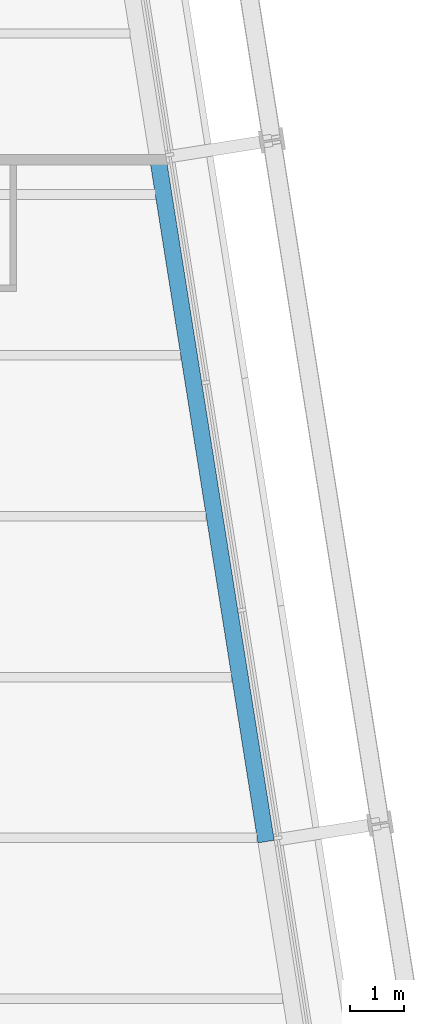
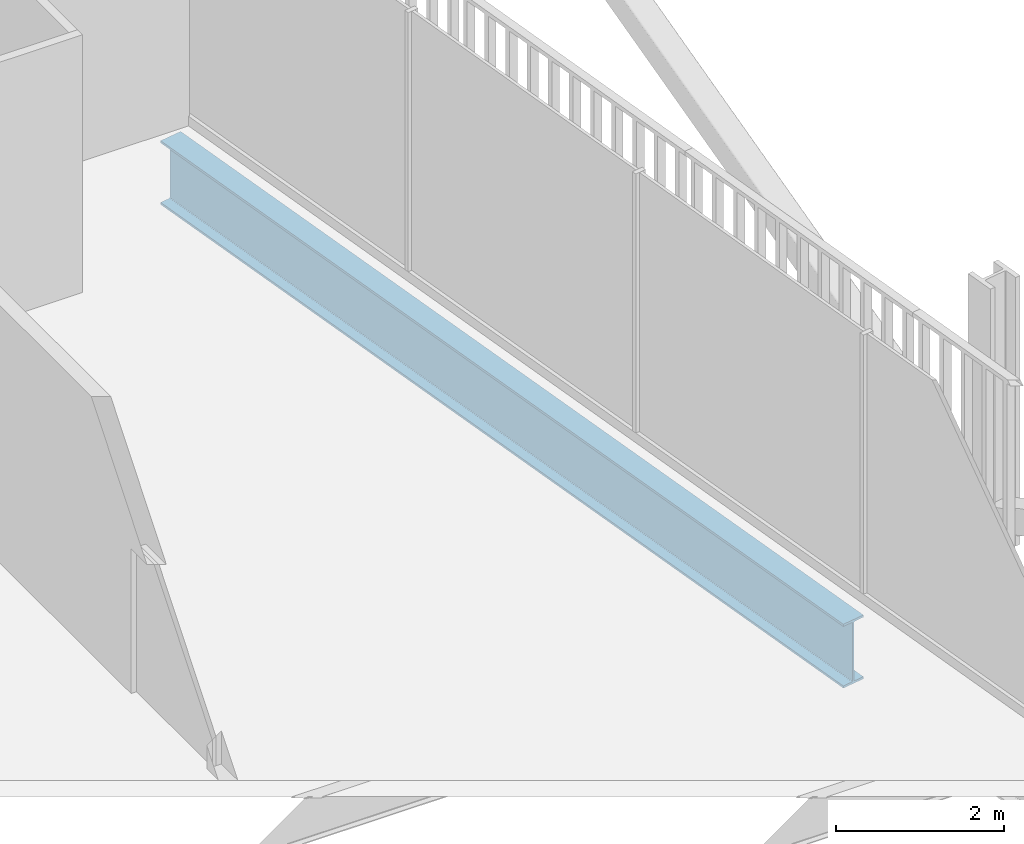
# One storey, part 9 of 22: 1 beam.
"""IFC4 building model written with IfcOpenShell, lengths in metres."""

from ifc_helpers import new_model, si_unit, direction, frame, origin, origin_2d, place, context, subcontext, project, spatial, i_section, extrude, material, material_profile, profile_set, type_object, element, save


model = new_model("IFC4")

# Units and contexts
model_context = context("Model", 3, precision=1e-05, world=origin(), true_north=direction((0.0, 1.0)))
body_context = subcontext(model_context, "Body", "Model", "MODEL_VIEW")
ifc_project = project(units=[si_unit("LENGTHUNIT", "METRE"), si_unit("AREAUNIT", "SQUARE_METRE"), si_unit("VOLUMEUNIT", "CUBIC_METRE"), si_unit("PLANEANGLEUNIT", "RADIAN"), si_unit("MASSUNIT", "GRAM", prefix="KILO")], contexts=[model_context])

# Site, building, storey
site_placement = place(None, origin())
site = spatial("IfcSite", under=ifc_project, at=site_placement, CompositionType="ELEMENT")
building_placement = place(site_placement, origin())
building = spatial("IfcBuilding", under=site, at=building_placement, Name="Millrace Tower", CompositionType="ELEMENT")
storey_placement = place(building_placement, frame((0.0, 0.0, 145.10009765625)))
storey = spatial("IfcBuildingStorey", under=building, at=storey_placement, Name="L32", CompositionType="ELEMENT", Elevation=145.10009765625)

# Beam
ifc_material = material(Name="Steel ASTM A992 Grade 50", Category="steel")
ifc_material_profile = material_profile(ifc_material, i_section(OverallWidth=0.307373046875, OverallDepth=0.927001953125, WebThickness=0.01953125, FlangeThickness=0.031982421875, FilletRadius=0.01904296875, at=origin_2d()))
ifc_profile_set = profile_set([ifc_material_profile], Name="Steel ASTM A992 Grade 50")
beam_type = type_object("IfcBeamType", Name="Ring beam medium span W36x194", PredefinedType="SPANDREL", material=ifc_profile_set)
beam_placement = place(storey_placement, frame((23.25, 9.6728515625, -0.62353515625), z_axis=(0.15642030113, -0.987690583834, 0.0), x_axis=(0.987690583834, 0.15642030113, 0.0)))
element("IfcBeam", 1, at=beam_placement, inside=storey, type_object=beam_type, Name="RNG-C-L32-S1-10", PredefinedType="SPANDREL", context=body_context, shape_type="SweptSolid", body=[
    extrude(i_section(OverallWidth=0.307373046875, OverallDepth=0.927001953125, WebThickness=0.01953125, FlangeThickness=0.031982421875, FilletRadius=0.01904296875, at=origin_2d()), origin(), (0.0, 0.0, 1.0), 12.89990234375),
])

save(model, "model.ifc")
